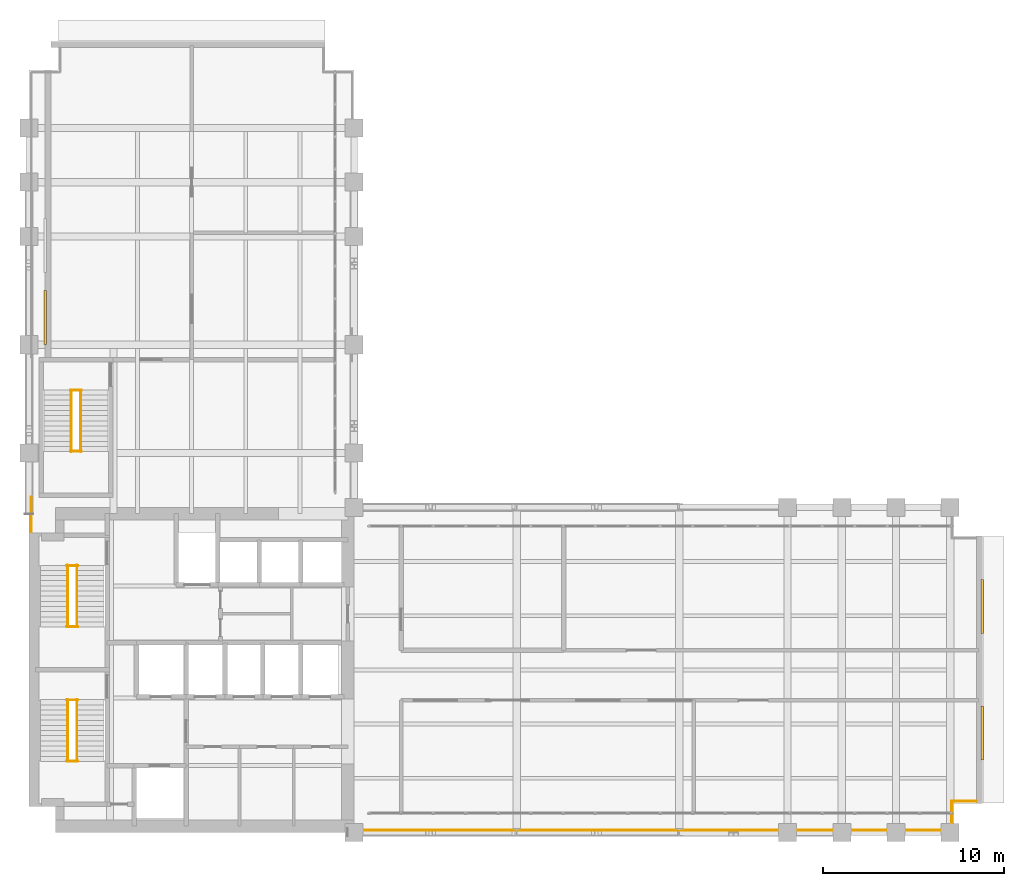
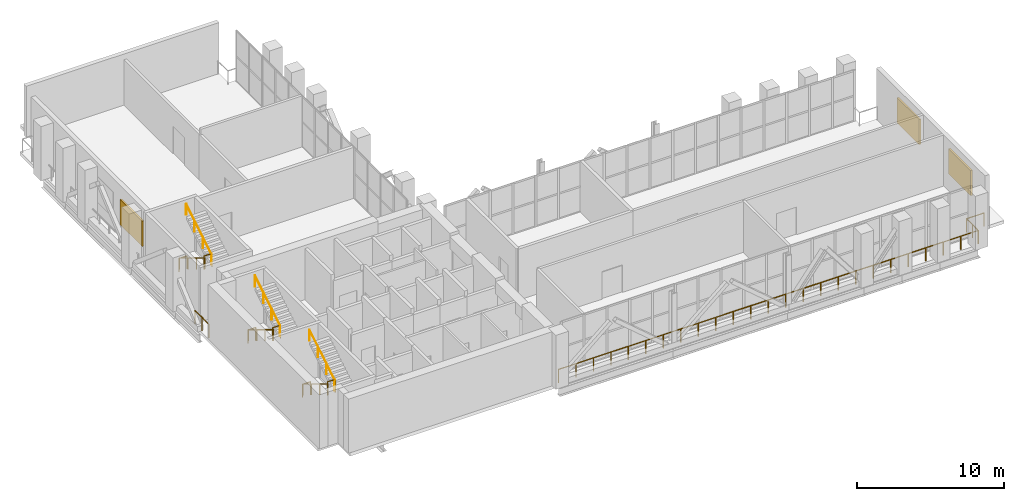
# One storey, part 26 of 27: 14 railings, 3 shading devices.
"""IFC4 building model written with IfcOpenShell, lengths in metres."""

from ifc_helpers import new_model, si_unit, direction, frame, origin, origin_2d, place, context, subcontext, project, spatial, rectangle, circle, extrude, material, layer, layer_set, type_object, element, save


model = new_model("IFC4")

# Units and contexts
model_context = context("Model", 3, precision=1e-05, world=origin(), true_north=direction((0.0, 1.0)))
body_context = subcontext(model_context, "Body", "Model", "MODEL_VIEW")
ifc_project = project(units=[si_unit("LENGTHUNIT", "METRE"), si_unit("AREAUNIT", "SQUARE_METRE"), si_unit("VOLUMEUNIT", "CUBIC_METRE"), si_unit("PLANEANGLEUNIT", "RADIAN"), si_unit("MASSUNIT", "GRAM", prefix="KILO")], contexts=[model_context])

# Site, building, storey
site_placement = place(None, origin())
site = spatial("IfcSite", under=ifc_project, at=site_placement, CompositionType="ELEMENT")
building_placement = place(site_placement, origin())
building = spatial("IfcBuilding", under=site, at=building_placement, Name="Mawjdan Bourse Tower", CompositionType="ELEMENT")
storey_placement = place(building_placement, frame((0.0, 0.0, 155.699951171875)))
storey = spatial("IfcBuildingStorey", under=building, at=storey_placement, Name="L37", CompositionType="ELEMENT", Elevation=155.699951171875)

# Railings
ifc_material_1 = material(Name="Structural Steel S355", Category="steel")
railing_type_1 = type_object("IfcRailingType", Name="RLG-GRD-1100", PredefinedType="GUARDRAIL", material=ifc_material_1)
railing_1_placement = place(storey_placement, frame((24.050048828125, 3.1201171875, 0.0)))
element("IfcRailing", 1, at=railing_1_placement, inside=storey, type_object=railing_type_1, Name="L37 Refuge South-East Perimeter Safety Guardrail", PredefinedType="GUARDRAIL", context=body_context, shape_type="SweptSolid", body=[
    extrude(circle(Radius=0.02490234375, at=origin_2d()), frame((0.0, 0.0, 1.09521484375), z_axis=(1.0, 0.0, 0.0), x_axis=(0.0, 1.0, 0.0)), (0.0, 0.0, 1.0), 33.030029296875),
    extrude(circle(Radius=0.02490234375, at=origin_2d()), frame((33.030029296875, 0.0, 1.09521484375), z_axis=(0.0, 1.0, 0.0), x_axis=(-1.0, 0.0, 0.0)), (0.0, 0.0, 1.0), 1.599853515625),
    extrude(circle(Radius=0.02490234375, at=origin_2d()), frame((33.030029296875, 1.599853515625, 1.09521484375), z_axis=(1.0, 0.0, 0.0), x_axis=(0.0, 1.0, 0.0)), (0.0, 0.0, 1.0), 1.3798828125),
    extrude(circle(Radius=0.02197265625, at=origin_2d()), origin(), (0.0, 0.0, 1.0), 1.070068359375),
    extrude(circle(Radius=0.02197265625, at=origin_2d()), frame((1.376220703125, 0.0, 0.0)), (0.0, 0.0, 1.0), 1.070068359375),
    extrude(circle(Radius=0.02197265625, at=origin_2d()), frame((2.75244140625, 0.0, 0.0)), (0.0, 0.0, 1.0), 1.070068359375),
    extrude(circle(Radius=0.02197265625, at=origin_2d()), frame((4.128662109375, 0.0, 0.0)), (0.0, 0.0, 1.0), 1.070068359375),
    extrude(circle(Radius=0.02197265625, at=origin_2d()), frame((5.5048828125, 0.0, 0.0)), (0.0, 0.0, 1.0), 1.070068359375),
    extrude(circle(Radius=0.02197265625, at=origin_2d()), frame((6.88134765625, 0.0, 0.0)), (0.0, 0.0, 1.0), 1.070068359375),
    extrude(circle(Radius=0.02197265625, at=origin_2d()), frame((8.257568359375, 0.0, 0.0)), (0.0, 0.0, 1.0), 1.070068359375),
    extrude(circle(Radius=0.02197265625, at=origin_2d()), frame((9.6337890625, 0.0, 0.0)), (0.0, 0.0, 1.0), 1.070068359375),
    extrude(circle(Radius=0.02197265625, at=origin_2d()), frame((11.010009765625, 0.0, 0.0)), (0.0, 0.0, 1.0), 1.070068359375),
    extrude(circle(Radius=0.02197265625, at=origin_2d()), frame((12.38623046875, 0.0, 0.0)), (0.0, 0.0, 1.0), 1.070068359375),
    extrude(circle(Radius=0.02197265625, at=origin_2d()), frame((13.762451171875, 0.0, 0.0)), (0.0, 0.0, 1.0), 1.070068359375),
    extrude(circle(Radius=0.02197265625, at=origin_2d()), frame((15.138671875, 0.0, 0.0)), (0.0, 0.0, 1.0), 1.070068359375),
    extrude(circle(Radius=0.02197265625, at=origin_2d()), frame((16.51513671875, 0.0, 0.0)), (0.0, 0.0, 1.0), 1.070068359375),
    extrude(circle(Radius=0.02197265625, at=origin_2d()), frame((17.891357421875, 0.0, 0.0)), (0.0, 0.0, 1.0), 1.070068359375),
    extrude(circle(Radius=0.02197265625, at=origin_2d()), frame((19.267578125, 0.0, 0.0)), (0.0, 0.0, 1.0), 1.070068359375),
    extrude(circle(Radius=0.02197265625, at=origin_2d()), frame((20.643798828125, 0.0, 0.0)), (0.0, 0.0, 1.0), 1.070068359375),
    extrude(circle(Radius=0.02197265625, at=origin_2d()), frame((22.02001953125, 0.0, 0.0)), (0.0, 0.0, 1.0), 1.070068359375),
    extrude(circle(Radius=0.02197265625, at=origin_2d()), frame((23.396240234375, 0.0, 0.0)), (0.0, 0.0, 1.0), 1.070068359375),
    extrude(circle(Radius=0.02197265625, at=origin_2d()), frame((24.7724609375, 0.0, 0.0)), (0.0, 0.0, 1.0), 1.070068359375),
    extrude(circle(Radius=0.02197265625, at=origin_2d()), frame((26.148681640625, 0.0, 0.0)), (0.0, 0.0, 1.0), 1.070068359375),
    extrude(circle(Radius=0.02197265625, at=origin_2d()), frame((27.52490234375, 0.0, 0.0)), (0.0, 0.0, 1.0), 1.070068359375),
    extrude(circle(Radius=0.02197265625, at=origin_2d()), frame((28.9013671875, 0.0, 0.0)), (0.0, 0.0, 1.0), 1.070068359375),
    extrude(circle(Radius=0.02197265625, at=origin_2d()), frame((30.277587890625, 0.0, 0.0)), (0.0, 0.0, 1.0), 1.070068359375),
    extrude(circle(Radius=0.02197265625, at=origin_2d()), frame((31.65380859375, 0.0, 0.0)), (0.0, 0.0, 1.0), 1.070068359375),
    extrude(circle(Radius=0.02197265625, at=origin_2d()), frame((33.030029296875, 0.0, 0.0)), (0.0, 0.0, 1.0), 1.070068359375),
    extrude(circle(Radius=0.02197265625, at=origin_2d()), frame((33.030029296875, 0.7998046875, 0.0)), (0.0, 0.0, 1.0), 1.070068359375),
    extrude(circle(Radius=0.02197265625, at=origin_2d()), frame((33.030029296875, 1.599853515625, 0.0)), (0.0, 0.0, 1.0), 1.070068359375),
    extrude(circle(Radius=0.02197265625, at=origin_2d()), frame((34.409912109375, 1.599853515625, 0.0)), (0.0, 0.0, 1.0), 1.070068359375),
])
railing_2_placement = place(storey_placement, frame((6.1201171875, 21.56005859375, 0.0)))
element("IfcRailing", 2, at=railing_2_placement, inside=storey, type_object=railing_type_1, Name="L37 Refuge West Throat Perimeter Safety Guardrail", PredefinedType="GUARDRAIL", context=body_context, shape_type="SweptSolid", body=[
    extrude(circle(Radius=0.02490234375, at=origin_2d()), frame((0.0, 0.0, 1.09521484375), z_axis=(0.0, -1.0, 0.0), x_axis=(1.0, 0.0, 0.0)), (0.0, 0.0, 1.0), 1.91015625),
    extrude(circle(Radius=0.02197265625, at=origin_2d()), origin(), (0.0, 0.0, 1.0), 1.070068359375),
    extrude(circle(Radius=0.02197265625, at=origin_2d()), frame((0.0, -0.955078125, 0.0)), (0.0, 0.0, 1.0), 1.070068359375),
    extrude(circle(Radius=0.02197265625, at=origin_2d()), frame((0.0, -1.91015625, 0.0)), (0.0, 0.0, 1.0), 1.070068359375),
])
for number, where, name in (
    (3, (8.090087890625, 6.949951171875, 2.25), "L37 ST1 Landing Guardrail GL-MID"),
    (4, (8.090087890625, 10.330078125, 0.0), "L37 ST1 Landing Guardrail GL-BOT"),
    (5, (8.090087890625, 14.389892578125, 2.25), "L37 ST2 Landing Guardrail GL-MID"),
    (6, (8.090087890625, 17.77001953125, 0.0), "L37 ST2 Landing Guardrail GL-BOT"),
    (7, (8.2900390625, 24.10009765625, 2.25), "L37 ST3 Landing Guardrail GL-MID"),
    (8, (8.2900390625, 27.47998046875, 0.0), "L37 ST3 Landing Guardrail GL-BOT"),
):
    element("IfcRailing", number, at=place(storey_placement, frame(where)), inside=storey, type_object=railing_type_1, Name=name, PredefinedType="GUARDRAIL", context=body_context, shape_type="SweptSolid", body=[
        extrude(circle(Radius=0.02490234375, at=origin_2d()), frame((0.0, 0.0, 1.0751953125), z_axis=(1.0, 0.0, 0.0), x_axis=(0.0, 1.0, 0.0)), (0.0, 0.0, 1.0), 0.619873046875),
        extrude(circle(Radius=0.02099609375, at=origin_2d()), origin(), (0.0, 0.0, 1.0), 1.050048828125),
        extrude(circle(Radius=0.02099609375, at=origin_2d()), frame((0.619873046875, 0.0, 0.0)), (0.0, 0.0, 1.0), 1.050048828125),
    ])
ifc_material_2 = material(Name="Brushed Stainless Steel", Category="steel")
railing_type_2 = type_object("IfcRailingType", Name="RLG-HND-920", PredefinedType="HANDRAIL", material=ifc_material_2)
railing_3_placement = place(storey_placement, frame((8.139892578125, 10.35009765625, 0.173095703125)))
element("IfcRailing", 9, at=railing_3_placement, inside=storey, type_object=railing_type_2, Name="L37 ST1 Flight Handrail HR1", PredefinedType="HANDRAIL", context=body_context, shape_type="SweptSolid", body=[
    extrude(circle(Radius=0.0224609375, at=origin_2d()), frame((0.0, 0.0, 0.8974609375), z_axis=(0.0, -0.854745945586, 0.519046595696), x_axis=(1.0, 0.0, 0.0)), (0.0, 0.0, 1.0), 4.00146484375),
    extrude(circle(Radius=0.01904296875, at=origin_2d()), origin(), (0.0, 0.0, 1.0), 0.875),
    extrude(circle(Radius=0.01904296875, at=origin_2d()), frame((0.0, -1.14013671875, 0.6923828125)), (0.0, 0.0, 1.0), 0.875),
    extrude(circle(Radius=0.01904296875, at=origin_2d()), frame((0.0, -2.280029296875, 1.384521484375)), (0.0, 0.0, 1.0), 0.875),
    extrude(circle(Radius=0.01904296875, at=origin_2d()), frame((0.0, -3.420166015625, 2.076904296875)), (0.0, 0.0, 1.0), 0.875),
])
railing_4_placement = place(storey_placement, frame((8.659912109375, 6.929931640625, 2.423095703125)))
element("IfcRailing", 10, at=railing_4_placement, inside=storey, type_object=railing_type_2, Name="L37 ST1 Flight Handrail HR2", PredefinedType="HANDRAIL", context=body_context, shape_type="SweptSolid", body=[
    extrude(circle(Radius=0.0224609375, at=origin_2d()), frame((0.0, 0.0, 0.8974609375), z_axis=(0.0, 0.854745945586, 0.519046595696), x_axis=(-1.0, 0.0, 0.0)), (0.0, 0.0, 1.0), 4.00146484375),
    extrude(circle(Radius=0.01904296875, at=origin_2d()), origin(), (0.0, 0.0, 1.0), 0.875),
    extrude(circle(Radius=0.01904296875, at=origin_2d()), frame((0.0, 1.14013671875, 0.6923828125)), (0.0, 0.0, 1.0), 0.875),
    extrude(circle(Radius=0.01904296875, at=origin_2d()), frame((0.0, 2.280029296875, 1.384521484375)), (0.0, 0.0, 1.0), 0.875),
    extrude(circle(Radius=0.01904296875, at=origin_2d()), frame((0.0, 3.420166015625, 2.076904296875)), (0.0, 0.0, 1.0), 0.875),
])
railing_5_placement = place(storey_placement, frame((8.139892578125, 17.7900390625, 0.173095703125)))
element("IfcRailing", 11, at=railing_5_placement, inside=storey, type_object=railing_type_2, Name="L37 ST2 Flight Handrail HR1", PredefinedType="HANDRAIL", context=body_context, shape_type="SweptSolid", body=[
    extrude(circle(Radius=0.0224609375, at=origin_2d()), frame((0.0, 0.0, 0.8974609375), z_axis=(0.0, -0.854729506542, 0.519073665916), x_axis=(1.0, 0.0, 0.0)), (0.0, 0.0, 1.0), 4.001220703125),
    extrude(circle(Radius=0.01904296875, at=origin_2d()), origin(), (0.0, 0.0, 1.0), 0.875),
    extrude(circle(Radius=0.01904296875, at=origin_2d()), frame((0.0, -1.139892578125, 0.6923828125)), (0.0, 0.0, 1.0), 0.875),
    extrude(circle(Radius=0.01904296875, at=origin_2d()), frame((0.0, -2.280029296875, 1.384521484375)), (0.0, 0.0, 1.0), 0.875),
    extrude(circle(Radius=0.01904296875, at=origin_2d()), frame((0.0, -3.419921875, 2.076904296875)), (0.0, 0.0, 1.0), 0.875),
])
railing_6_placement = place(storey_placement, frame((8.659912109375, 14.3701171875, 2.423095703125)))
element("IfcRailing", 12, at=railing_6_placement, inside=storey, type_object=railing_type_2, Name="L37 ST2 Flight Handrail HR2", PredefinedType="HANDRAIL", context=body_context, shape_type="SweptSolid", body=[
    extrude(circle(Radius=0.0224609375, at=origin_2d()), frame((0.0, 0.0, 0.8974609375), z_axis=(0.0, 0.854729506542, 0.519073665916), x_axis=(-1.0, 0.0, 0.0)), (0.0, 0.0, 1.0), 4.001220703125),
    extrude(circle(Radius=0.01904296875, at=origin_2d()), origin(), (0.0, 0.0, 1.0), 0.875),
    extrude(circle(Radius=0.01904296875, at=origin_2d()), frame((0.0, 1.139892578125, 0.6923828125)), (0.0, 0.0, 1.0), 0.875),
    extrude(circle(Radius=0.01904296875, at=origin_2d()), frame((0.0, 2.280029296875, 1.384521484375)), (0.0, 0.0, 1.0), 0.875),
    extrude(circle(Radius=0.01904296875, at=origin_2d()), frame((0.0, 3.419921875, 2.076904296875)), (0.0, 0.0, 1.0), 0.875),
])
railing_7_placement = place(storey_placement, frame((8.340087890625, 27.5, 0.173095703125)))
element("IfcRailing", 13, at=railing_7_placement, inside=storey, type_object=railing_type_2, Name="L37 ST3 Flight Handrail HR1", PredefinedType="HANDRAIL", context=body_context, shape_type="SweptSolid", body=[
    extrude(circle(Radius=0.0224609375, at=origin_2d()), frame((0.0, 0.0, 0.8974609375), z_axis=(0.0, -0.854729506542, 0.519073665916), x_axis=(1.0, 0.0, 0.0)), (0.0, 0.0, 1.0), 4.001220703125),
    extrude(circle(Radius=0.01904296875, at=origin_2d()), origin(), (0.0, 0.0, 1.0), 0.875),
    extrude(circle(Radius=0.01904296875, at=origin_2d()), frame((0.0, -1.139892578125, 0.6923828125)), (0.0, 0.0, 1.0), 0.875),
    extrude(circle(Radius=0.01904296875, at=origin_2d()), frame((0.0, -2.280029296875, 1.384521484375)), (0.0, 0.0, 1.0), 0.875),
    extrude(circle(Radius=0.01904296875, at=origin_2d()), frame((0.0, -3.419921875, 2.076904296875)), (0.0, 0.0, 1.0), 0.875),
])
railing_8_placement = place(storey_placement, frame((8.860107421875, 24.080078125, 2.423095703125)))
element("IfcRailing", 14, at=railing_8_placement, inside=storey, type_object=railing_type_2, Name="L37 ST3 Flight Handrail HR2", PredefinedType="HANDRAIL", context=body_context, shape_type="SweptSolid", body=[
    extrude(circle(Radius=0.0224609375, at=origin_2d()), frame((0.0, 0.0, 0.8974609375), z_axis=(0.0, 0.854729506542, 0.519073665916), x_axis=(-1.0, 0.0, 0.0)), (0.0, 0.0, 1.0), 4.001220703125),
    extrude(circle(Radius=0.01904296875, at=origin_2d()), origin(), (0.0, 0.0, 1.0), 0.875),
    extrude(circle(Radius=0.01904296875, at=origin_2d()), frame((0.0, 1.139892578125, 0.6923828125)), (0.0, 0.0, 1.0), 0.875),
    extrude(circle(Radius=0.01904296875, at=origin_2d()), frame((0.0, 2.280029296875, 1.384521484375)), (0.0, 0.0, 1.0), 0.875),
    extrude(circle(Radius=0.01904296875, at=origin_2d()), frame((0.0, 3.419921875, 2.076904296875)), (0.0, 0.0, 1.0), 0.875),
])

# Shading devices
ifc_material_3 = material(Name="Anodised Sand-Trap Aluminium", Category="aluminium")
ifc_layer = layer(ifc_material_3, 0.139892578125)
ifc_layer_set = layer_set([ifc_layer], Name="Anodised Sand-Trap Aluminium")
shading_device_type = type_object("IfcShadingDeviceType", Name="SHD-LVR-SAND", PredefinedType="JALOUSIE", material=ifc_layer_set)
for number, where, z_axis, x_axis, name in (
    (15, (58.780029296875, 8.5, 1.050048828125), (0.0, 0.0, 1.0), (1.0, 0.0, 0.0), "L37 Sand-Trap Intake Louvre 1"),
    (16, (58.780029296875, 15.5, 1.050048828125), (0.0, 0.0, 1.0), (1.0, 0.0, 0.0), "L37 Sand-Trap Intake Louvre 2"),
    (17, (6.89990234375, 31.5, 1.050048828125), (0.0, 0.0, 1.0), (1.0, 0.0, 0.0), "L37 West Sand-Trap Intake Louvre 1"),
):
    element("IfcShadingDevice", number, at=place(storey_placement, frame(where, z_axis=z_axis, x_axis=x_axis)), inside=storey, type_object=shading_device_type, Name=name, PredefinedType="JALOUSIE", context=body_context, shape_type="SweptSolid", body=[
        extrude(rectangle(XDim=0.139892578125, YDim=3.0, at=origin_2d()), origin(), (0.0, 0.0, 1.0), 2.10009765625),
    ])

save(model, "model.ifc")
